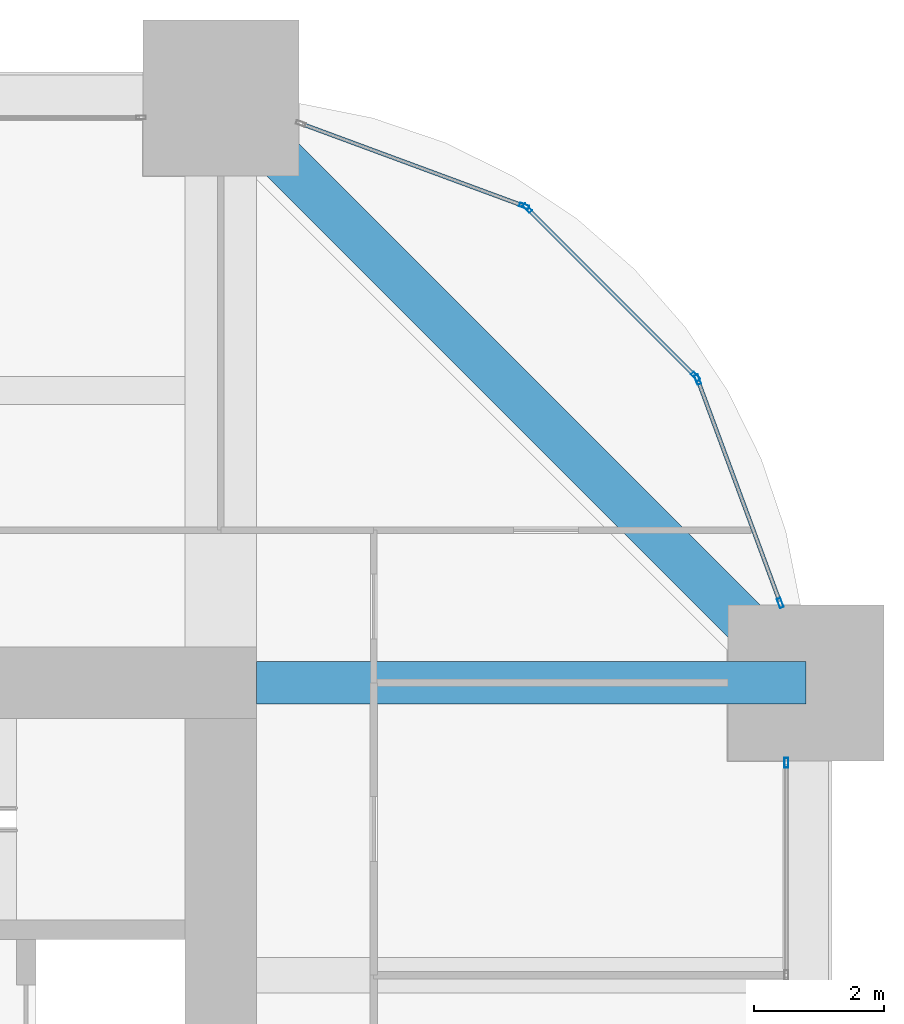
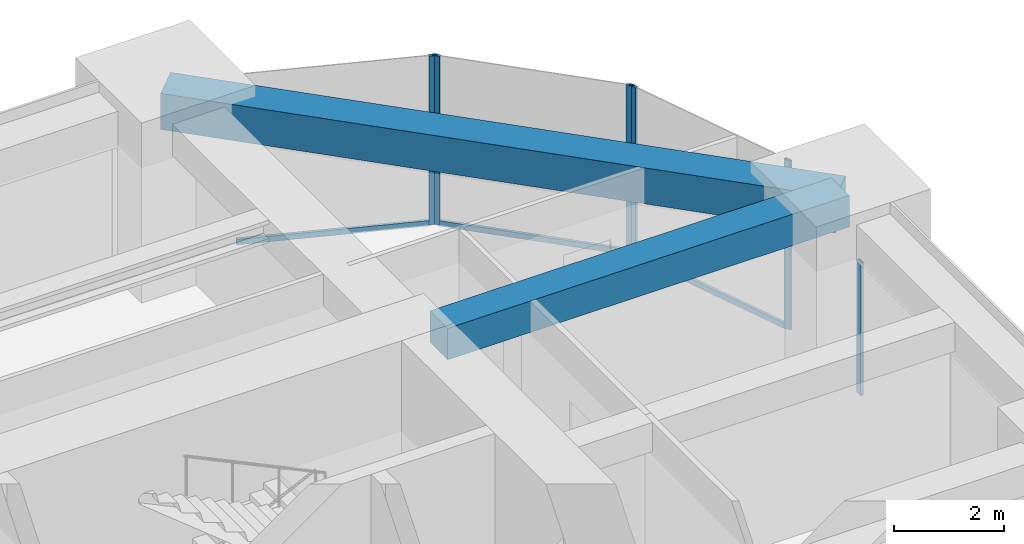
# One storey, part 27 of 33: 9 members, 2 beams, 4 elements without a shape of their own.
"""IFC4 building model written with IfcOpenShell, lengths in metres."""

from ifc_helpers import new_model, si_unit, direction, frame, origin, origin_2d, place, context, subcontext, project, spatial, rectangle, hollow_rectangle, extrude, material, material_profile, profile_set, type_object, element, aggregate, save


model = new_model("IFC4")

# Units and contexts
model_context = context("Model", 3, precision=1e-05, world=origin(), true_north=direction((0.0, 1.0)))
body_context = subcontext(model_context, "Body", "Model", "MODEL_VIEW")
ifc_project = project(units=[si_unit("LENGTHUNIT", "METRE"), si_unit("AREAUNIT", "SQUARE_METRE"), si_unit("VOLUMEUNIT", "CUBIC_METRE"), si_unit("PLANEANGLEUNIT", "RADIAN"), si_unit("MASSUNIT", "GRAM", prefix="KILO")], contexts=[model_context])

# Site, building, storey
site_placement = place(None, origin())
site = spatial("IfcSite", under=ifc_project, at=site_placement, CompositionType="ELEMENT")
building_placement = place(site_placement, origin())
building = spatial("IfcBuilding", under=site, at=building_placement, Name="Zorevar Civic Tower", CompositionType="ELEMENT")
storey_placement = place(building_placement, frame((0.0, 0.0, 178.199951171875)))
storey = spatial("IfcBuildingStorey", under=building, at=storey_placement, Name="L43", CompositionType="ELEMENT", Elevation=178.199951171875)

# Beam
ifc_material_1 = material(Name="Concrete C50/60", Category="concrete")
ifc_material_profile_1 = material_profile(ifc_material_1, rectangle(XDim=0.64990234375, YDim=0.699951171875, at=origin_2d()), Name="RC 650x700")
ifc_profile_set_1 = profile_set([ifc_material_profile_1], Name="Concrete C50/60")
beam_type_1 = type_object("IfcBeamType", Name="Beam RC 650x700", PredefinedType="BEAM", material=ifc_profile_set_1)
beam_1_placement = place(storey_placement, frame((45.550048828125, 36.0, 3.400146484375), z_axis=(1.0, 0.0, 0.0), x_axis=(0.0, 1.0, 0.0)))
element("IfcBeam", 1, at=beam_1_placement, inside=storey, type_object=beam_type_1, Name="Girder L44", PredefinedType="BEAM", context=body_context, shape_type="SweptSolid", body=[
    extrude(rectangle(XDim=0.64990234375, YDim=0.699951171875, at=origin_2d()), origin(), (0.0, 0.0, 1.0), 8.449951171875),
])

# Curtain wall, member
ifc_material_2 = material(Name="Dark grey solar-control glass in black aluminium frame", Category="aluminium")
curtain_wall_type = type_object("IfcCurtainWallType", Name="Curtain wall CW4 high zone", PredefinedType="NOTDEFINED", material=ifc_material_2)
curtain_wall_1_placement = place(storey_placement, origin())
curtain_wall_1 = element("IfcCurtainWall", 2, at=curtain_wall_1_placement, inside=storey, type_object=curtain_wall_type, Name="CW4 L43", PredefinedType="NOTDEFINED")
ifc_material_3 = material(Name="Aluminium, black anodised", Category="aluminium")
ifc_material_profile_2 = material_profile(ifc_material_3, hollow_rectangle(XDim=0.06005859375, YDim=0.14990234375, WallThickness=0.00390625, at=origin_2d()), Name="AL 150x60x4")
ifc_profile_set_2 = profile_set([ifc_material_profile_2], Name="Aluminium, black anodised")
member_type_1 = type_object("IfcMemberType", Name="CW4 mullion AL 150x60x4", PredefinedType="MULLION", material=ifc_profile_set_2)
member_1_placement = place(storey_placement, frame((53.699951171875, 34.77001953125, 0.0), z_axis=(0.0, 0.0, 1.0), x_axis=(-1.0, 0.0, 0.0)))
member_1 = element("IfcMember", 3, at=member_1_placement, type_object=member_type_1, Name="CW4 mullion 3", PredefinedType="MULLION", context=body_context, shape_type="SweptSolid", body=[
    extrude(hollow_rectangle(XDim=0.06005859375, YDim=0.14990234375, WallThickness=0.00390625, at=origin_2d()), origin(), (0.0, 0.0, 1.0), 2.949951171875),
])
aggregate(curtain_wall_1, [member_1])

# Curtain wall, members
curtain_wall_2_placement = place(storey_placement, origin())
curtain_wall_2 = element("IfcCurtainWall", 4, at=curtain_wall_2_placement, inside=storey, type_object=curtain_wall_type, Name="CW4 L43", PredefinedType="NOTDEFINED")
member_2_placement = place(storey_placement, frame((53.6064453125, 37.22802734375, 0.0), z_axis=(0.0, 0.0, 1.0), x_axis=(-0.937974588163, -0.346704012033, 0.0)))
member_2 = element("IfcMember", 5, at=member_2_placement, type_object=member_type_1, Name="CW4 mullion 1", PredefinedType="MULLION", context=body_context, shape_type="SweptSolid", body=[
    extrude(hollow_rectangle(XDim=0.06005859375, YDim=0.14990234375, WallThickness=0.00390625, at=origin_2d()), origin(), (0.0, 0.0, 1.0), 3.75),
])
member_3_placement = place(storey_placement, frame((52.336181640625, 40.66455078125, 0.0), z_axis=(0.0, 0.0, 1.0), x_axis=(-0.937974588163, -0.346704012033, 0.0)))
member_3 = element("IfcMember", 6, at=member_3_placement, type_object=member_type_1, Name="CW4 mullion 2", PredefinedType="MULLION", context=body_context, shape_type="SweptSolid", body=[
    extrude(hollow_rectangle(XDim=0.06005859375, YDim=0.14990234375, WallThickness=0.00390625, at=origin_2d()), origin(), (0.0, 0.0, 1.0), 3.75),
])

curtain_wall_3_placement = place(storey_placement, origin())
curtain_wall_3 = element("IfcCurtainWall", 7, at=curtain_wall_3_placement, inside=storey, type_object=curtain_wall_type, Name="CW4 L43", PredefinedType="NOTDEFINED")
member_4_placement = place(storey_placement, frame((52.3046875, 40.7138671875, 0.0), z_axis=(0.0, 0.0, 1.0), x_axis=(-0.707106781187, -0.707106781187, 0.0)))
member_4 = element("IfcMember", 8, at=member_4_placement, type_object=member_type_1, Name="CW4 mullion 1", PredefinedType="MULLION", context=body_context, shape_type="SweptSolid", body=[
    extrude(hollow_rectangle(XDim=0.06005859375, YDim=0.14990234375, WallThickness=0.00390625, at=origin_2d()), origin(), (0.0, 0.0, 1.0), 3.75),
])
member_5_placement = place(storey_placement, frame((49.7138671875, 43.3046875, 0.0), z_axis=(0.0, 0.0, 1.0), x_axis=(-0.707106781187, -0.707106781187, 0.0)))
member_5 = element("IfcMember", 9, at=member_5_placement, type_object=member_type_1, Name="CW4 mullion 2", PredefinedType="MULLION", context=body_context, shape_type="SweptSolid", body=[
    extrude(hollow_rectangle(XDim=0.06005859375, YDim=0.14990234375, WallThickness=0.00390625, at=origin_2d()), origin(), (0.0, 0.0, 1.0), 3.75),
])

# Curtain wall, member
curtain_wall_4_placement = place(storey_placement, origin())
curtain_wall_4 = element("IfcCurtainWall", 10, at=curtain_wall_4_placement, inside=storey, type_object=curtain_wall_type, Name="CW4 L43", PredefinedType="NOTDEFINED")
member_6_placement = place(storey_placement, frame((49.66455078125, 43.336181640625, 0.0), z_axis=(0.0, 0.0, 1.0), x_axis=(-0.346704012033, -0.937974588163, 0.0)))
member_6 = element("IfcMember", 11, at=member_6_placement, type_object=member_type_1, Name="CW4 mullion 1", PredefinedType="MULLION", context=body_context, shape_type="SweptSolid", body=[
    extrude(hollow_rectangle(XDim=0.06005859375, YDim=0.14990234375, WallThickness=0.00390625, at=origin_2d()), origin(), (0.0, 0.0, 1.0), 3.75),
])

# Member
ifc_material_4 = material(Name="Aluminium, black anodised", Category="aluminium")
ifc_material_profile_3 = material_profile(ifc_material_4, hollow_rectangle(XDim=0.06005859375, YDim=0.1201171875, WallThickness=0.0029296875, at=origin_2d()), Name="AL 120x60x3")
ifc_profile_set_3 = profile_set([ifc_material_profile_3], Name="Aluminium, black anodised")
member_type_2 = type_object("IfcMemberType", Name="CW4 transom AL 120x60x3", PredefinedType="USERDEFINED", material=ifc_profile_set_3)
member_7_placement = place(storey_placement, frame((53.595947265625, 37.25634765625, 0.030029296875), z_axis=(-0.346672169799, 0.93798635741, 0.0), x_axis=(-0.93798635741, -0.346672169799, 0.0)))
member_7 = element("IfcMember", 12, at=member_7_placement, type_object=member_type_2, Name="CW4 sill transom", ObjectType="TRANSOM", PredefinedType="USERDEFINED", context=body_context, shape_type="SweptSolid", body=[
    extrude(hollow_rectangle(XDim=0.06005859375, YDim=0.1201171875, WallThickness=0.0029296875, at=origin_2d()), origin(), (0.0, 0.0, 1.0), 3.603515625),
])

aggregate(curtain_wall_2, [member_2, member_3, member_7])

member_8_placement = place(storey_placement, frame((52.283447265625, 40.735107421875, 0.030029296875), z_axis=(-0.707106781187, 0.707106781187, 0.0), x_axis=(-0.707106781187, -0.707106781187, 0.0)))
member_8 = element("IfcMember", 13, at=member_8_placement, type_object=member_type_2, Name="CW4 sill transom", ObjectType="TRANSOM", PredefinedType="USERDEFINED", context=body_context, shape_type="SweptSolid", body=[
    extrude(hollow_rectangle(XDim=0.06005859375, YDim=0.1201171875, WallThickness=0.0029296875, at=origin_2d()), origin(), (0.0, 0.0, 1.0), 3.60400390625),
])

aggregate(curtain_wall_3, [member_4, member_5, member_8])

member_9_placement = place(storey_placement, frame((49.636474609375, 43.3466796875, 0.030029296875), z_axis=(-0.93798635741, 0.346672169799, 0.0), x_axis=(-0.346672169799, -0.93798635741, 0.0)))
member_9 = element("IfcMember", 14, at=member_9_placement, type_object=member_type_2, Name="CW4 sill transom", ObjectType="TRANSOM", PredefinedType="USERDEFINED", context=body_context, shape_type="SweptSolid", body=[
    extrude(hollow_rectangle(XDim=0.06005859375, YDim=0.1201171875, WallThickness=0.0029296875, at=origin_2d()), origin(), (0.0, 0.0, 1.0), 3.603515625),
])

aggregate(curtain_wall_4, [member_6, member_9])

# Beam
ifc_material_5 = material(Name="Concrete C50/60", Category="concrete")
ifc_material_profile_4 = material_profile(ifc_material_5, rectangle(XDim=0.699951171875, YDim=0.800048828125, at=origin_2d()), Name="RC 700x800")
ifc_profile_set_4 = profile_set([ifc_material_profile_4], Name="Concrete C50/60")
beam_type_2 = type_object("IfcBeamType", Name="Edge beam RC 700x800", PredefinedType="SPANDREL", material=ifc_profile_set_4)
beam_2_placement = place(storey_placement, frame((54.0, 36.0, 3.35009765625), z_axis=(-0.707106781187, 0.707106781187, 0.0), x_axis=(-0.707106781187, -0.707106781187, 0.0)))
element("IfcBeam", 15, at=beam_2_placement, inside=storey, type_object=beam_type_2, Name="Corner edge beam L44", PredefinedType="SPANDREL", context=body_context, shape_type="SweptSolid", body=[
    extrude(rectangle(XDim=0.699951171875, YDim=0.800048828125, at=origin_2d()), origin(), (0.0, 0.0, 1.0), 12.72802734375),
])

save(model, "model.ifc")
